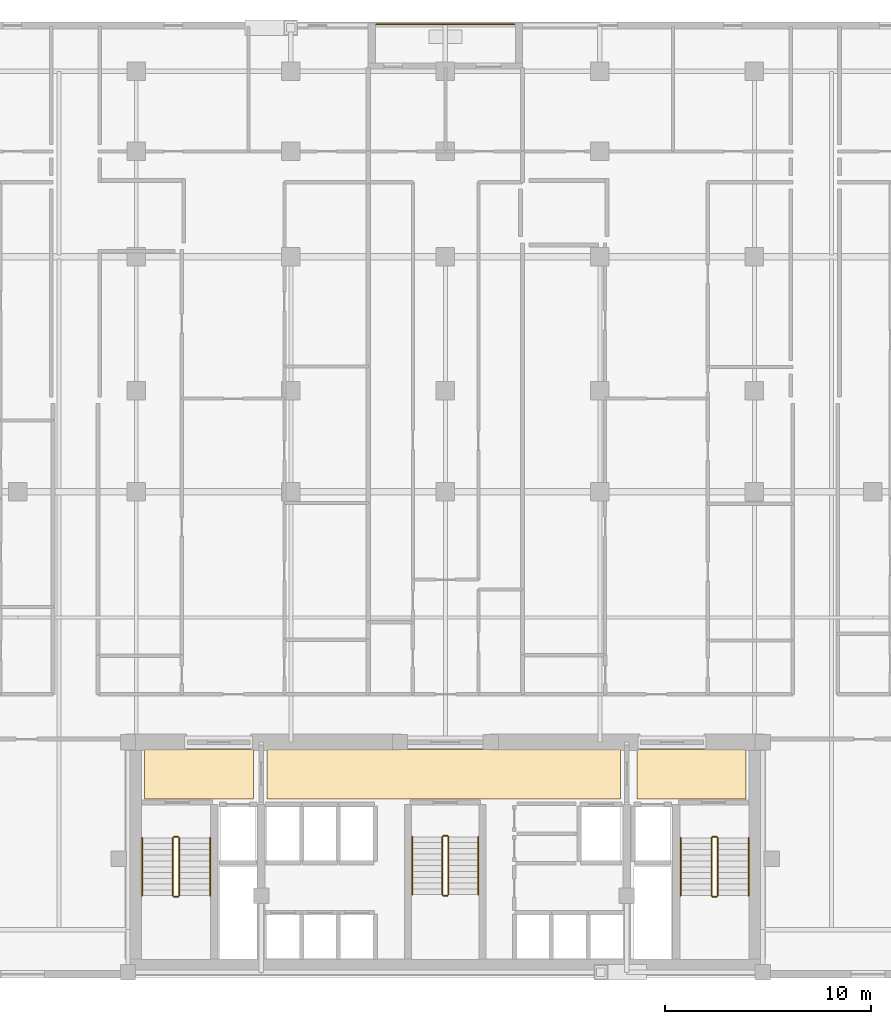
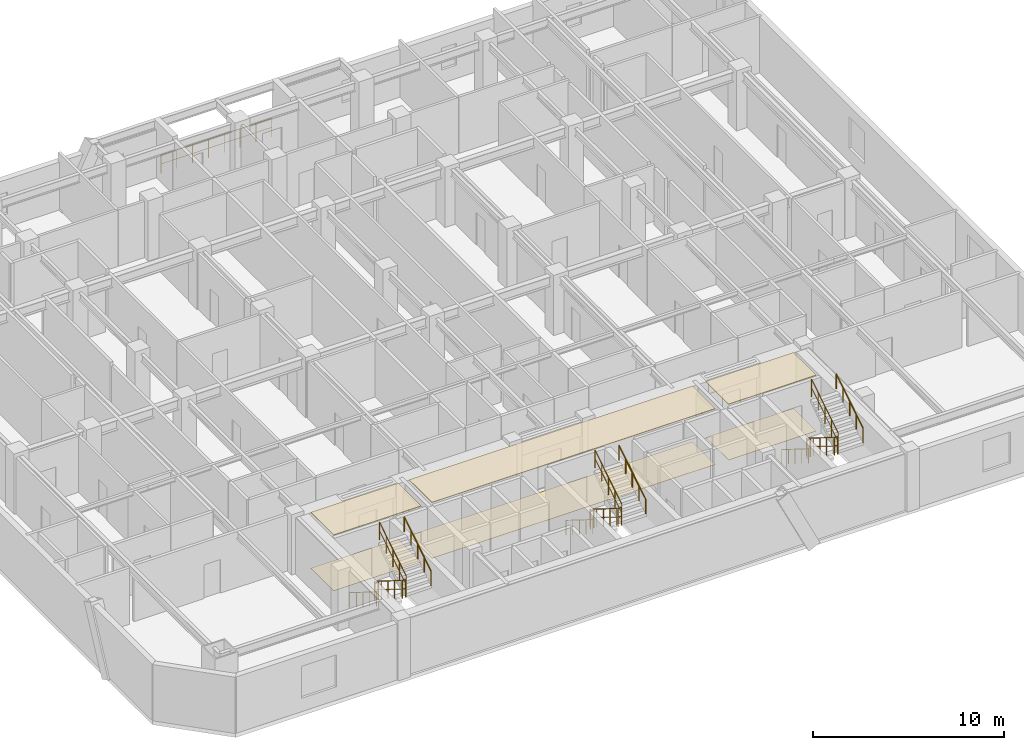
# One storey, part 10 of 10: 19 railings, 6 coverings.
"""IFC4 building model written with IfcOpenShell, lengths in metres."""

from ifc_helpers import new_model, si_unit, direction, frame, origin, origin_2d, place, context, subcontext, project, spatial, polyline, circle, outline, extrude, material, layer, layer_set, type_object, element, save


model = new_model("IFC4")

# Units and contexts
model_context = context("Model", 3, precision=1e-05, world=origin(), true_north=direction((0.0, 1.0)))
body_context = subcontext(model_context, "Body", "Model", "MODEL_VIEW")
ifc_project = project(units=[si_unit("LENGTHUNIT", "METRE"), si_unit("AREAUNIT", "SQUARE_METRE"), si_unit("VOLUMEUNIT", "CUBIC_METRE"), si_unit("PLANEANGLEUNIT", "RADIAN"), si_unit("MASSUNIT", "GRAM", prefix="KILO")], contexts=[model_context])

# Site, building, storey
site_placement = place(None, origin())
site = spatial("IfcSite", under=ifc_project, at=site_placement, CompositionType="ELEMENT")
building_placement = place(site_placement, origin())
building = spatial("IfcBuilding", under=site, at=building_placement, Name="Ventersveld Concourse Tower", CompositionType="ELEMENT")
storey_placement = place(building_placement, frame((0.0, 0.0, 41.35009765625)))
storey = spatial("IfcBuildingStorey", under=building, at=storey_placement, Name="L09", CompositionType="ELEMENT", Elevation=41.35009765625)

# Coverings
ifc_material_1 = material(Name="Mineral-fibre acoustic ceiling tile", Category="gypsum")
ifc_layer_1 = layer(ifc_material_1, 0.0400390625)
ifc_layer_set_1 = layer_set([ifc_layer_1], Name="Mineral-fibre acoustic ceiling tile")
covering_type_1 = type_object("IfcCoveringType", Name="COV-CEIL-ACOUSTIC", PredefinedType="CEILING", material=ifc_layer_set_1)
covering_1_placement = place(storey_placement, frame((0.0, 0.0, 3.559814453125)))
element("IfcCovering", 1, at=covering_1_placement, inside=storey, type_object=covering_type_1, Name="L09 North Lift Lobby Acoustic Ceiling", PredefinedType="CEILING", context=body_context, shape_type="SweptSolid", body=[
    extrude(outline(polyline([(20.10009765625, 8.699951171875), (37.25, 8.699951171875), (37.25, 11.10009765625), (20.10009765625, 11.10009765625), (20.10009765625, 8.699951171875)])), origin(), (0.0, 0.0, 1.0), 0.0400390625),
])
covering_2_placement = place(storey_placement, frame((0.0, 0.0, 3.559814453125)))
element("IfcCovering", 2, at=covering_2_placement, inside=storey, type_object=covering_type_1, Name="L09 West Firefighting Lobby Acoustic Ceiling", PredefinedType="CEILING", context=body_context, shape_type="SweptSolid", body=[
    extrude(outline(polyline([(14.14990234375, 8.699951171875), (19.449951171875, 8.699951171875), (19.449951171875, 11.10009765625), (14.14990234375, 11.10009765625), (14.14990234375, 8.699951171875)])), origin(), (0.0, 0.0, 1.0), 0.0400390625),
])
covering_3_placement = place(storey_placement, frame((0.0, 0.0, 3.559814453125)))
element("IfcCovering", 3, at=covering_3_placement, inside=storey, type_object=covering_type_1, Name="L09 East Firefighting Lobby Acoustic Ceiling", PredefinedType="CEILING", context=body_context, shape_type="SweptSolid", body=[
    extrude(outline(polyline([(38.050048828125, 8.699951171875), (43.35009765625, 8.699951171875), (43.35009765625, 11.10009765625), (38.050048828125, 11.10009765625), (38.050048828125, 8.699951171875)])), origin(), (0.0, 0.0, 1.0), 0.0400390625),
])
ifc_material_2 = material(Name="Polished Highveld granite terrazzo", Category="masonry")
ifc_layer_2 = layer(ifc_material_2, 0.02001953125)
ifc_layer_set_2 = layer_set([ifc_layer_2], Name="Polished Highveld granite terrazzo")
covering_type_2 = type_object("IfcCoveringType", Name="COV-FLOOR-TERRAZZO", PredefinedType="FLOORING", material=ifc_layer_set_2)
covering_4_placement = place(storey_placement, origin())
element("IfcCovering", 4, at=covering_4_placement, inside=storey, type_object=covering_type_2, Name="L09 North Lift Lobby Terrazzo Flooring", PredefinedType="FLOORING", context=body_context, shape_type="SweptSolid", body=[
    extrude(outline(polyline([(20.10009765625, 8.699951171875), (37.25, 8.699951171875), (37.25, 11.10009765625), (20.10009765625, 11.10009765625), (20.10009765625, 8.699951171875)])), origin(), (0.0, 0.0, 1.0), 0.02001953125),
])
covering_5_placement = place(storey_placement, origin())
element("IfcCovering", 5, at=covering_5_placement, inside=storey, type_object=covering_type_2, Name="L09 West Firefighting Lobby Terrazzo Flooring", PredefinedType="FLOORING", context=body_context, shape_type="SweptSolid", body=[
    extrude(outline(polyline([(14.14990234375, 8.699951171875), (19.449951171875, 8.699951171875), (19.449951171875, 11.10009765625), (14.14990234375, 11.10009765625), (14.14990234375, 8.699951171875)])), origin(), (0.0, 0.0, 1.0), 0.02001953125),
])
covering_6_placement = place(storey_placement, origin())
element("IfcCovering", 6, at=covering_6_placement, inside=storey, type_object=covering_type_2, Name="L09 East Firefighting Lobby Terrazzo Flooring", PredefinedType="FLOORING", context=body_context, shape_type="SweptSolid", body=[
    extrude(outline(polyline([(38.050048828125, 8.699951171875), (43.35009765625, 8.699951171875), (43.35009765625, 11.10009765625), (38.050048828125, 11.10009765625), (38.050048828125, 8.699951171875)])), origin(), (0.0, 0.0, 1.0), 0.02001953125),
])

# Railings
ifc_material_3 = material(Name="Brushed stainless steel 316", Category="steel")
railing_type_1 = type_object("IfcRailingType", Name="GD-BAL-115", PredefinedType="GUARDRAIL", material=ifc_material_3)
railing_1_placement = place(storey_placement, frame((15.530029296875, 6.800048828125, 0.1748046875)))
element("IfcRailing", 7, at=railing_1_placement, inside=storey, type_object=railing_type_1, Name="L09 ST-01 stair guard 1", PredefinedType="GUARDRAIL", context=body_context, shape_type="SweptSolid", body=[
    extrude(circle(Radius=0.02392578125, at=origin_2d()), frame((0.0, 0.0, 1.1259765625), z_axis=(0.0, -0.848002457836, 0.529992293815), x_axis=(1.0, 0.0, 0.0)), (0.0, 0.0, 1.0), 3.302001953125),
    extrude(circle(Radius=0.01611328125, at=origin_2d()), frame((0.0, 0.0, 0.574951171875), z_axis=(0.0, -0.848002457836, 0.529992293815), x_axis=(1.0, 0.0, 0.0)), (0.0, 0.0, 1.0), 3.302001953125),
    extrude(circle(Radius=0.02099609375, at=origin_2d()), origin(), (0.0, 0.0, 1.0), 1.101806640625),
    extrude(circle(Radius=0.02099609375, at=origin_2d()), frame((0.0, -0.699951171875, 0.4375)), (0.0, 0.0, 1.0), 1.101806640625),
    extrude(circle(Radius=0.02099609375, at=origin_2d()), frame((0.0, -1.39990234375, 0.875)), (0.0, 0.0, 1.0), 1.101806640625),
    extrude(circle(Radius=0.02099609375, at=origin_2d()), frame((0.0, -2.10009765625, 1.3125)), (0.0, 0.0, 1.0), 1.101806640625),
    extrude(circle(Radius=0.02099609375, at=origin_2d()), frame((0.0, -2.800048828125, 1.75)), (0.0, 0.0, 1.0), 1.101806640625),
])
railing_2_placement = place(storey_placement, frame((15.580078125, 3.949951171875, 1.9248046875)))
element("IfcRailing", 8, at=railing_2_placement, inside=storey, type_object=railing_type_1, Name="L09 ST-01 stair guard 2", PredefinedType="GUARDRAIL", context=body_context, shape_type="SweptSolid", body=[
    extrude(circle(Radius=0.02392578125, at=origin_2d()), frame((0.0, 0.0, 1.1259765625), z_axis=(1.0, 0.0, 0.0), x_axis=(0.0, 1.0, 0.0)), (0.0, 0.0, 1.0), 0.199951171875),
    extrude(circle(Radius=0.01611328125, at=origin_2d()), frame((0.0, 0.0, 0.574951171875), z_axis=(1.0, 0.0, 0.0), x_axis=(0.0, 1.0, 0.0)), (0.0, 0.0, 1.0), 0.199951171875),
    extrude(circle(Radius=0.02099609375, at=origin_2d()), origin(), (0.0, 0.0, 1.0), 1.101806640625),
    extrude(circle(Radius=0.02099609375, at=origin_2d()), frame((0.199951171875, 0.0, 0.0)), (0.0, 0.0, 1.0), 1.101806640625),
])
railing_3_placement = place(storey_placement, frame((15.830078125, 4.0, 2.099853515625)))
element("IfcRailing", 9, at=railing_3_placement, inside=storey, type_object=railing_type_1, Name="L09 ST-01 stair guard 3", PredefinedType="GUARDRAIL", context=body_context, shape_type="SweptSolid", body=[
    extrude(circle(Radius=0.02392578125, at=origin_2d()), frame((0.0, 0.0, 1.1259765625), z_axis=(0.0, 0.848002457836, 0.529992293815), x_axis=(-1.0, 0.0, 0.0)), (0.0, 0.0, 1.0), 3.302001953125),
    extrude(circle(Radius=0.01611328125, at=origin_2d()), frame((0.0, 0.0, 0.574951171875), z_axis=(0.0, 0.848002457836, 0.529992293815), x_axis=(-1.0, 0.0, 0.0)), (0.0, 0.0, 1.0), 3.302001953125),
    extrude(circle(Radius=0.02099609375, at=origin_2d()), origin(), (0.0, 0.0, 1.0), 1.101806640625),
    extrude(circle(Radius=0.02099609375, at=origin_2d()), frame((0.0, 0.699951171875, 0.4375)), (0.0, 0.0, 1.0), 1.101806640625),
    extrude(circle(Radius=0.02099609375, at=origin_2d()), frame((0.0, 1.39990234375, 0.875)), (0.0, 0.0, 1.0), 1.101806640625),
    extrude(circle(Radius=0.02099609375, at=origin_2d()), frame((0.0, 2.10009765625, 1.3125)), (0.0, 0.0, 1.0), 1.101806640625),
    extrude(circle(Radius=0.02099609375, at=origin_2d()), frame((0.0, 2.800048828125, 1.75)), (0.0, 0.0, 1.0), 1.101806640625),
])
railing_4_placement = place(storey_placement, frame((15.580078125, 6.85009765625, 0.0)))
element("IfcRailing", 10, at=railing_4_placement, inside=storey, type_object=railing_type_1, Name="L09 ST-01 stair guard 4", PredefinedType="GUARDRAIL", context=body_context, shape_type="SweptSolid", body=[
    extrude(circle(Radius=0.02392578125, at=origin_2d()), frame((0.0, 0.0, 1.1259765625), z_axis=(1.0, 0.0, 0.0), x_axis=(0.0, 1.0, 0.0)), (0.0, 0.0, 1.0), 0.199951171875),
    extrude(circle(Radius=0.01611328125, at=origin_2d()), frame((0.0, 0.0, 0.574951171875), z_axis=(1.0, 0.0, 0.0), x_axis=(0.0, 1.0, 0.0)), (0.0, 0.0, 1.0), 0.199951171875),
    extrude(circle(Radius=0.02099609375, at=origin_2d()), origin(), (0.0, 0.0, 1.0), 1.101806640625),
    extrude(circle(Radius=0.02099609375, at=origin_2d()), frame((0.199951171875, 0.0, 0.0)), (0.0, 0.0, 1.0), 1.101806640625),
])
railing_5_placement = place(storey_placement, frame((41.669921875, 6.800048828125, 0.1748046875)))
element("IfcRailing", 11, at=railing_5_placement, inside=storey, type_object=railing_type_1, Name="L09 ST-02 stair guard 1", PredefinedType="GUARDRAIL", context=body_context, shape_type="SweptSolid", body=[
    extrude(circle(Radius=0.02392578125, at=origin_2d()), frame((0.0, 0.0, 1.1259765625), z_axis=(0.0, -0.848002457836, 0.529992293815), x_axis=(1.0, 0.0, 0.0)), (0.0, 0.0, 1.0), 3.302001953125),
    extrude(circle(Radius=0.01611328125, at=origin_2d()), frame((0.0, 0.0, 0.574951171875), z_axis=(0.0, -0.848002457836, 0.529992293815), x_axis=(1.0, 0.0, 0.0)), (0.0, 0.0, 1.0), 3.302001953125),
    extrude(circle(Radius=0.02099609375, at=origin_2d()), origin(), (0.0, 0.0, 1.0), 1.101806640625),
    extrude(circle(Radius=0.02099609375, at=origin_2d()), frame((0.0, -0.699951171875, 0.4375)), (0.0, 0.0, 1.0), 1.101806640625),
    extrude(circle(Radius=0.02099609375, at=origin_2d()), frame((0.0, -1.39990234375, 0.875)), (0.0, 0.0, 1.0), 1.101806640625),
    extrude(circle(Radius=0.02099609375, at=origin_2d()), frame((0.0, -2.10009765625, 1.3125)), (0.0, 0.0, 1.0), 1.101806640625),
    extrude(circle(Radius=0.02099609375, at=origin_2d()), frame((0.0, -2.800048828125, 1.75)), (0.0, 0.0, 1.0), 1.101806640625),
])
railing_6_placement = place(storey_placement, frame((41.719970703125, 3.949951171875, 1.9248046875)))
element("IfcRailing", 12, at=railing_6_placement, inside=storey, type_object=railing_type_1, Name="L09 ST-02 stair guard 2", PredefinedType="GUARDRAIL", context=body_context, shape_type="SweptSolid", body=[
    extrude(circle(Radius=0.02392578125, at=origin_2d()), frame((0.0, 0.0, 1.1259765625), z_axis=(1.0, 0.0, 0.0), x_axis=(0.0, 1.0, 0.0)), (0.0, 0.0, 1.0), 0.199951171875),
    extrude(circle(Radius=0.01611328125, at=origin_2d()), frame((0.0, 0.0, 0.574951171875), z_axis=(1.0, 0.0, 0.0), x_axis=(0.0, 1.0, 0.0)), (0.0, 0.0, 1.0), 0.199951171875),
    extrude(circle(Radius=0.02099609375, at=origin_2d()), origin(), (0.0, 0.0, 1.0), 1.101806640625),
    extrude(circle(Radius=0.02099609375, at=origin_2d()), frame((0.199951171875, 0.0, 0.0)), (0.0, 0.0, 1.0), 1.101806640625),
])
railing_7_placement = place(storey_placement, frame((41.969970703125, 4.0, 2.099853515625)))
element("IfcRailing", 13, at=railing_7_placement, inside=storey, type_object=railing_type_1, Name="L09 ST-02 stair guard 3", PredefinedType="GUARDRAIL", context=body_context, shape_type="SweptSolid", body=[
    extrude(circle(Radius=0.02392578125, at=origin_2d()), frame((0.0, 0.0, 1.1259765625), z_axis=(0.0, 0.848002457836, 0.529992293815), x_axis=(-1.0, 0.0, 0.0)), (0.0, 0.0, 1.0), 3.302001953125),
    extrude(circle(Radius=0.01611328125, at=origin_2d()), frame((0.0, 0.0, 0.574951171875), z_axis=(0.0, 0.848002457836, 0.529992293815), x_axis=(-1.0, 0.0, 0.0)), (0.0, 0.0, 1.0), 3.302001953125),
    extrude(circle(Radius=0.02099609375, at=origin_2d()), origin(), (0.0, 0.0, 1.0), 1.101806640625),
    extrude(circle(Radius=0.02099609375, at=origin_2d()), frame((0.0, 0.699951171875, 0.4375)), (0.0, 0.0, 1.0), 1.101806640625),
    extrude(circle(Radius=0.02099609375, at=origin_2d()), frame((0.0, 1.39990234375, 0.875)), (0.0, 0.0, 1.0), 1.101806640625),
    extrude(circle(Radius=0.02099609375, at=origin_2d()), frame((0.0, 2.10009765625, 1.3125)), (0.0, 0.0, 1.0), 1.101806640625),
    extrude(circle(Radius=0.02099609375, at=origin_2d()), frame((0.0, 2.800048828125, 1.75)), (0.0, 0.0, 1.0), 1.101806640625),
])
railing_8_placement = place(storey_placement, frame((41.719970703125, 6.85009765625, 0.0)))
element("IfcRailing", 14, at=railing_8_placement, inside=storey, type_object=railing_type_1, Name="L09 ST-02 stair guard 4", PredefinedType="GUARDRAIL", context=body_context, shape_type="SweptSolid", body=[
    extrude(circle(Radius=0.02392578125, at=origin_2d()), frame((0.0, 0.0, 1.1259765625), z_axis=(1.0, 0.0, 0.0), x_axis=(0.0, 1.0, 0.0)), (0.0, 0.0, 1.0), 0.199951171875),
    extrude(circle(Radius=0.01611328125, at=origin_2d()), frame((0.0, 0.0, 0.574951171875), z_axis=(1.0, 0.0, 0.0), x_axis=(0.0, 1.0, 0.0)), (0.0, 0.0, 1.0), 0.199951171875),
    extrude(circle(Radius=0.02099609375, at=origin_2d()), origin(), (0.0, 0.0, 1.0), 1.101806640625),
    extrude(circle(Radius=0.02099609375, at=origin_2d()), frame((0.199951171875, 0.0, 0.0)), (0.0, 0.0, 1.0), 1.101806640625),
])
railing_9_placement = place(storey_placement, frame((28.60009765625, 6.85009765625, 0.1748046875)))
element("IfcRailing", 15, at=railing_9_placement, inside=storey, type_object=railing_type_1, Name="L09 ST-03 stair guard 1", PredefinedType="GUARDRAIL", context=body_context, shape_type="SweptSolid", body=[
    extrude(circle(Radius=0.02392578125, at=origin_2d()), frame((0.0, 0.0, 1.1259765625), z_axis=(0.0, -0.848002457836, 0.529992293815), x_axis=(1.0, 0.0, 0.0)), (0.0, 0.0, 1.0), 3.302001953125),
    extrude(circle(Radius=0.01611328125, at=origin_2d()), frame((0.0, 0.0, 0.574951171875), z_axis=(0.0, -0.848002457836, 0.529992293815), x_axis=(1.0, 0.0, 0.0)), (0.0, 0.0, 1.0), 3.302001953125),
    extrude(circle(Radius=0.02099609375, at=origin_2d()), origin(), (0.0, 0.0, 1.0), 1.101806640625),
    extrude(circle(Radius=0.02099609375, at=origin_2d()), frame((0.0, -0.699951171875, 0.4375)), (0.0, 0.0, 1.0), 1.101806640625),
    extrude(circle(Radius=0.02099609375, at=origin_2d()), frame((0.0, -1.39990234375, 0.875)), (0.0, 0.0, 1.0), 1.101806640625),
    extrude(circle(Radius=0.02099609375, at=origin_2d()), frame((0.0, -2.10009765625, 1.3125)), (0.0, 0.0, 1.0), 1.101806640625),
    extrude(circle(Radius=0.02099609375, at=origin_2d()), frame((0.0, -2.800048828125, 1.75)), (0.0, 0.0, 1.0), 1.101806640625),
])
railing_10_placement = place(storey_placement, frame((28.64990234375, 4.0, 1.9248046875)))
element("IfcRailing", 16, at=railing_10_placement, inside=storey, type_object=railing_type_1, Name="L09 ST-03 stair guard 2", PredefinedType="GUARDRAIL", context=body_context, shape_type="SweptSolid", body=[
    extrude(circle(Radius=0.02392578125, at=origin_2d()), frame((0.0, 0.0, 1.1259765625), z_axis=(1.0, 0.0, 0.0), x_axis=(0.0, 1.0, 0.0)), (0.0, 0.0, 1.0), 0.2001953125),
    extrude(circle(Radius=0.01611328125, at=origin_2d()), frame((0.0, 0.0, 0.574951171875), z_axis=(1.0, 0.0, 0.0), x_axis=(0.0, 1.0, 0.0)), (0.0, 0.0, 1.0), 0.2001953125),
    extrude(circle(Radius=0.02099609375, at=origin_2d()), origin(), (0.0, 0.0, 1.0), 1.101806640625),
    extrude(circle(Radius=0.02099609375, at=origin_2d()), frame((0.2001953125, 0.0, 0.0)), (0.0, 0.0, 1.0), 1.101806640625),
])
railing_11_placement = place(storey_placement, frame((28.89990234375, 4.050048828125, 2.099853515625)))
element("IfcRailing", 17, at=railing_11_placement, inside=storey, type_object=railing_type_1, Name="L09 ST-03 stair guard 3", PredefinedType="GUARDRAIL", context=body_context, shape_type="SweptSolid", body=[
    extrude(circle(Radius=0.02392578125, at=origin_2d()), frame((0.0, 0.0, 1.1259765625), z_axis=(0.0, 0.848002457836, 0.529992293815), x_axis=(-1.0, 0.0, 0.0)), (0.0, 0.0, 1.0), 3.302001953125),
    extrude(circle(Radius=0.01611328125, at=origin_2d()), frame((0.0, 0.0, 0.574951171875), z_axis=(0.0, 0.848002457836, 0.529992293815), x_axis=(-1.0, 0.0, 0.0)), (0.0, 0.0, 1.0), 3.302001953125),
    extrude(circle(Radius=0.02099609375, at=origin_2d()), origin(), (0.0, 0.0, 1.0), 1.101806640625),
    extrude(circle(Radius=0.02099609375, at=origin_2d()), frame((0.0, 0.699951171875, 0.4375)), (0.0, 0.0, 1.0), 1.101806640625),
    extrude(circle(Radius=0.02099609375, at=origin_2d()), frame((0.0, 1.39990234375, 0.875)), (0.0, 0.0, 1.0), 1.101806640625),
    extrude(circle(Radius=0.02099609375, at=origin_2d()), frame((0.0, 2.10009765625, 1.3125)), (0.0, 0.0, 1.0), 1.101806640625),
    extrude(circle(Radius=0.02099609375, at=origin_2d()), frame((0.0, 2.800048828125, 1.75)), (0.0, 0.0, 1.0), 1.101806640625),
])
railing_12_placement = place(storey_placement, frame((28.64990234375, 6.89990234375, 0.0)))
element("IfcRailing", 18, at=railing_12_placement, inside=storey, type_object=railing_type_1, Name="L09 ST-03 stair guard 4", PredefinedType="GUARDRAIL", context=body_context, shape_type="SweptSolid", body=[
    extrude(circle(Radius=0.02392578125, at=origin_2d()), frame((0.0, 0.0, 1.1259765625), z_axis=(1.0, 0.0, 0.0), x_axis=(0.0, 1.0, 0.0)), (0.0, 0.0, 1.0), 0.2001953125),
    extrude(circle(Radius=0.01611328125, at=origin_2d()), frame((0.0, 0.0, 0.574951171875), z_axis=(1.0, 0.0, 0.0), x_axis=(0.0, 1.0, 0.0)), (0.0, 0.0, 1.0), 0.2001953125),
    extrude(circle(Radius=0.02099609375, at=origin_2d()), origin(), (0.0, 0.0, 1.0), 1.101806640625),
    extrude(circle(Radius=0.02099609375, at=origin_2d()), frame((0.2001953125, 0.0, 0.0)), (0.0, 0.0, 1.0), 1.101806640625),
])
railing_type_2 = type_object("IfcRailingType", Name="GD-TER-120", PredefinedType="GUARDRAIL", material=ifc_material_3)
railing_13_placement = place(storey_placement, frame((25.39990234375, 46.280029296875, 0.0)))
element("IfcRailing", 19, at=railing_13_placement, inside=storey, type_object=railing_type_2, Name="L09 Outdoor Terrace Guardrail NOTCH-N", PredefinedType="GUARDRAIL", context=body_context, shape_type="SweptSolid", body=[
    extrude(circle(Radius=0.02392578125, at=origin_2d()), frame((0.0, 0.0, 1.17578125), z_axis=(1.0, 0.0, 0.0), x_axis=(0.0, 1.0, 0.0)), (0.0, 0.0, 1.0), 6.7001953125),
    extrude(circle(Radius=0.01611328125, at=origin_2d()), frame((0.0, 0.0, 0.60009765625), z_axis=(1.0, 0.0, 0.0), x_axis=(0.0, 1.0, 0.0)), (0.0, 0.0, 1.0), 6.7001953125),
    extrude(circle(Radius=0.02099609375, at=origin_2d()), origin(), (0.0, 0.0, 1.0), 1.15185546875),
    extrude(circle(Radius=0.02099609375, at=origin_2d()), frame((0.957275390625, 0.0, 0.0)), (0.0, 0.0, 1.0), 1.15185546875),
    extrude(circle(Radius=0.02099609375, at=origin_2d()), frame((1.914306640625, 0.0, 0.0)), (0.0, 0.0, 1.0), 1.15185546875),
    extrude(circle(Radius=0.02099609375, at=origin_2d()), frame((2.87158203125, 0.0, 0.0)), (0.0, 0.0, 1.0), 1.15185546875),
    extrude(circle(Radius=0.02099609375, at=origin_2d()), frame((3.82861328125, 0.0, 0.0)), (0.0, 0.0, 1.0), 1.15185546875),
    extrude(circle(Radius=0.02099609375, at=origin_2d()), frame((4.785888671875, 0.0, 0.0)), (0.0, 0.0, 1.0), 1.15185546875),
    extrude(circle(Radius=0.02099609375, at=origin_2d()), frame((5.742919921875, 0.0, 0.0)), (0.0, 0.0, 1.0), 1.15185546875),
    extrude(circle(Radius=0.02099609375, at=origin_2d()), frame((6.7001953125, 0.0, 0.0)), (0.0, 0.0, 1.0), 1.15185546875),
])
railing_type_3 = type_object("IfcRailingType", Name="HR-RMP-095", PredefinedType="HANDRAIL", material=ifc_material_3)
railing_14_placement = place(storey_placement, frame((14.030029296875, 6.800048828125, 0.1748046875)))
element("IfcRailing", 20, at=railing_14_placement, inside=storey, type_object=railing_type_3, Name="L09 ST-01 stair handrail 1", PredefinedType="HANDRAIL", context=body_context, shape_type="SweptSolid", body=[
    extrude(circle(Radius=0.02392578125, at=origin_2d()), frame((0.0, 0.0, 0.92578125), z_axis=(0.0, -0.848002457836, 0.529992293815), x_axis=(1.0, 0.0, 0.0)), (0.0, 0.0, 1.0), 3.302001953125),
    extrude(circle(Radius=0.02099609375, at=origin_2d()), origin(), (0.0, 0.0, 1.0), 0.90185546875),
    extrude(circle(Radius=0.02099609375, at=origin_2d()), frame((0.0, -0.699951171875, 0.4375)), (0.0, 0.0, 1.0), 0.90185546875),
    extrude(circle(Radius=0.02099609375, at=origin_2d()), frame((0.0, -1.39990234375, 0.875)), (0.0, 0.0, 1.0), 0.90185546875),
    extrude(circle(Radius=0.02099609375, at=origin_2d()), frame((0.0, -2.10009765625, 1.3125)), (0.0, 0.0, 1.0), 0.90185546875),
    extrude(circle(Radius=0.02099609375, at=origin_2d()), frame((0.0, -2.800048828125, 1.75)), (0.0, 0.0, 1.0), 0.90185546875),
])
railing_15_placement = place(storey_placement, frame((17.330078125, 4.0, 2.099853515625)))
element("IfcRailing", 21, at=railing_15_placement, inside=storey, type_object=railing_type_3, Name="L09 ST-01 stair handrail 2", PredefinedType="HANDRAIL", context=body_context, shape_type="SweptSolid", body=[
    extrude(circle(Radius=0.02392578125, at=origin_2d()), frame((0.0, 0.0, 0.92578125), z_axis=(0.0, 0.848002457836, 0.529992293815), x_axis=(-1.0, 0.0, 0.0)), (0.0, 0.0, 1.0), 3.302001953125),
    extrude(circle(Radius=0.02099609375, at=origin_2d()), origin(), (0.0, 0.0, 1.0), 0.90185546875),
    extrude(circle(Radius=0.02099609375, at=origin_2d()), frame((0.0, 0.699951171875, 0.4375)), (0.0, 0.0, 1.0), 0.90185546875),
    extrude(circle(Radius=0.02099609375, at=origin_2d()), frame((0.0, 1.39990234375, 0.875)), (0.0, 0.0, 1.0), 0.90185546875),
    extrude(circle(Radius=0.02099609375, at=origin_2d()), frame((0.0, 2.10009765625, 1.3125)), (0.0, 0.0, 1.0), 0.90185546875),
    extrude(circle(Radius=0.02099609375, at=origin_2d()), frame((0.0, 2.800048828125, 1.75)), (0.0, 0.0, 1.0), 0.90185546875),
])
railing_16_placement = place(storey_placement, frame((40.169921875, 6.800048828125, 0.1748046875)))
element("IfcRailing", 22, at=railing_16_placement, inside=storey, type_object=railing_type_3, Name="L09 ST-02 stair handrail 1", PredefinedType="HANDRAIL", context=body_context, shape_type="SweptSolid", body=[
    extrude(circle(Radius=0.02392578125, at=origin_2d()), frame((0.0, 0.0, 0.92578125), z_axis=(0.0, -0.848002457836, 0.529992293815), x_axis=(1.0, 0.0, 0.0)), (0.0, 0.0, 1.0), 3.302001953125),
    extrude(circle(Radius=0.02099609375, at=origin_2d()), origin(), (0.0, 0.0, 1.0), 0.90185546875),
    extrude(circle(Radius=0.02099609375, at=origin_2d()), frame((0.0, -0.699951171875, 0.4375)), (0.0, 0.0, 1.0), 0.90185546875),
    extrude(circle(Radius=0.02099609375, at=origin_2d()), frame((0.0, -1.39990234375, 0.875)), (0.0, 0.0, 1.0), 0.90185546875),
    extrude(circle(Radius=0.02099609375, at=origin_2d()), frame((0.0, -2.10009765625, 1.3125)), (0.0, 0.0, 1.0), 0.90185546875),
    extrude(circle(Radius=0.02099609375, at=origin_2d()), frame((0.0, -2.800048828125, 1.75)), (0.0, 0.0, 1.0), 0.90185546875),
])
railing_17_placement = place(storey_placement, frame((43.469970703125, 4.0, 2.099853515625)))
element("IfcRailing", 23, at=railing_17_placement, inside=storey, type_object=railing_type_3, Name="L09 ST-02 stair handrail 2", PredefinedType="HANDRAIL", context=body_context, shape_type="SweptSolid", body=[
    extrude(circle(Radius=0.02392578125, at=origin_2d()), frame((0.0, 0.0, 0.92578125), z_axis=(0.0, 0.848002457836, 0.529992293815), x_axis=(-1.0, 0.0, 0.0)), (0.0, 0.0, 1.0), 3.302001953125),
    extrude(circle(Radius=0.02099609375, at=origin_2d()), origin(), (0.0, 0.0, 1.0), 0.90185546875),
    extrude(circle(Radius=0.02099609375, at=origin_2d()), frame((0.0, 0.699951171875, 0.4375)), (0.0, 0.0, 1.0), 0.90185546875),
    extrude(circle(Radius=0.02099609375, at=origin_2d()), frame((0.0, 1.39990234375, 0.875)), (0.0, 0.0, 1.0), 0.90185546875),
    extrude(circle(Radius=0.02099609375, at=origin_2d()), frame((0.0, 2.10009765625, 1.3125)), (0.0, 0.0, 1.0), 0.90185546875),
    extrude(circle(Radius=0.02099609375, at=origin_2d()), frame((0.0, 2.800048828125, 1.75)), (0.0, 0.0, 1.0), 0.90185546875),
])
railing_18_placement = place(storey_placement, frame((27.14990234375, 6.85009765625, 0.1748046875)))
element("IfcRailing", 24, at=railing_18_placement, inside=storey, type_object=railing_type_3, Name="L09 ST-03 stair handrail 1", PredefinedType="HANDRAIL", context=body_context, shape_type="SweptSolid", body=[
    extrude(circle(Radius=0.02392578125, at=origin_2d()), frame((0.0, 0.0, 0.92578125), z_axis=(0.0, -0.848002457836, 0.529992293815), x_axis=(1.0, 0.0, 0.0)), (0.0, 0.0, 1.0), 3.302001953125),
    extrude(circle(Radius=0.02099609375, at=origin_2d()), origin(), (0.0, 0.0, 1.0), 0.90185546875),
    extrude(circle(Radius=0.02099609375, at=origin_2d()), frame((0.0, -0.699951171875, 0.4375)), (0.0, 0.0, 1.0), 0.90185546875),
    extrude(circle(Radius=0.02099609375, at=origin_2d()), frame((0.0, -1.39990234375, 0.875)), (0.0, 0.0, 1.0), 0.90185546875),
    extrude(circle(Radius=0.02099609375, at=origin_2d()), frame((0.0, -2.10009765625, 1.3125)), (0.0, 0.0, 1.0), 0.90185546875),
    extrude(circle(Radius=0.02099609375, at=origin_2d()), frame((0.0, -2.800048828125, 1.75)), (0.0, 0.0, 1.0), 0.90185546875),
])
railing_19_placement = place(storey_placement, frame((30.35009765625, 4.050048828125, 2.099853515625)))
element("IfcRailing", 25, at=railing_19_placement, inside=storey, type_object=railing_type_3, Name="L09 ST-03 stair handrail 2", PredefinedType="HANDRAIL", context=body_context, shape_type="SweptSolid", body=[
    extrude(circle(Radius=0.02392578125, at=origin_2d()), frame((0.0, 0.0, 0.92578125), z_axis=(0.0, 0.848002457836, 0.529992293815), x_axis=(-1.0, 0.0, 0.0)), (0.0, 0.0, 1.0), 3.302001953125),
    extrude(circle(Radius=0.02099609375, at=origin_2d()), origin(), (0.0, 0.0, 1.0), 0.90185546875),
    extrude(circle(Radius=0.02099609375, at=origin_2d()), frame((0.0, 0.699951171875, 0.4375)), (0.0, 0.0, 1.0), 0.90185546875),
    extrude(circle(Radius=0.02099609375, at=origin_2d()), frame((0.0, 1.39990234375, 0.875)), (0.0, 0.0, 1.0), 0.90185546875),
    extrude(circle(Radius=0.02099609375, at=origin_2d()), frame((0.0, 2.10009765625, 1.3125)), (0.0, 0.0, 1.0), 0.90185546875),
    extrude(circle(Radius=0.02099609375, at=origin_2d()), frame((0.0, 2.800048828125, 1.75)), (0.0, 0.0, 1.0), 0.90185546875),
])

save(model, "model.ifc")
